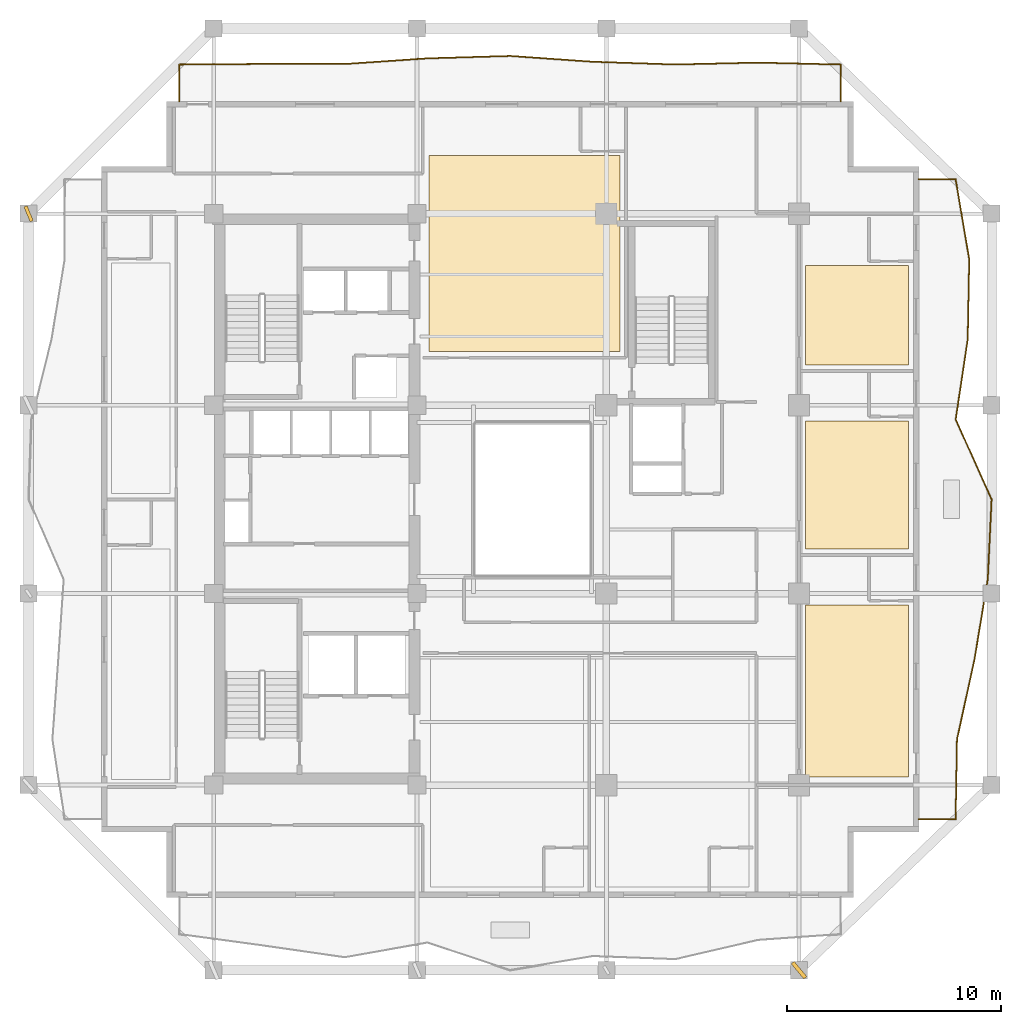
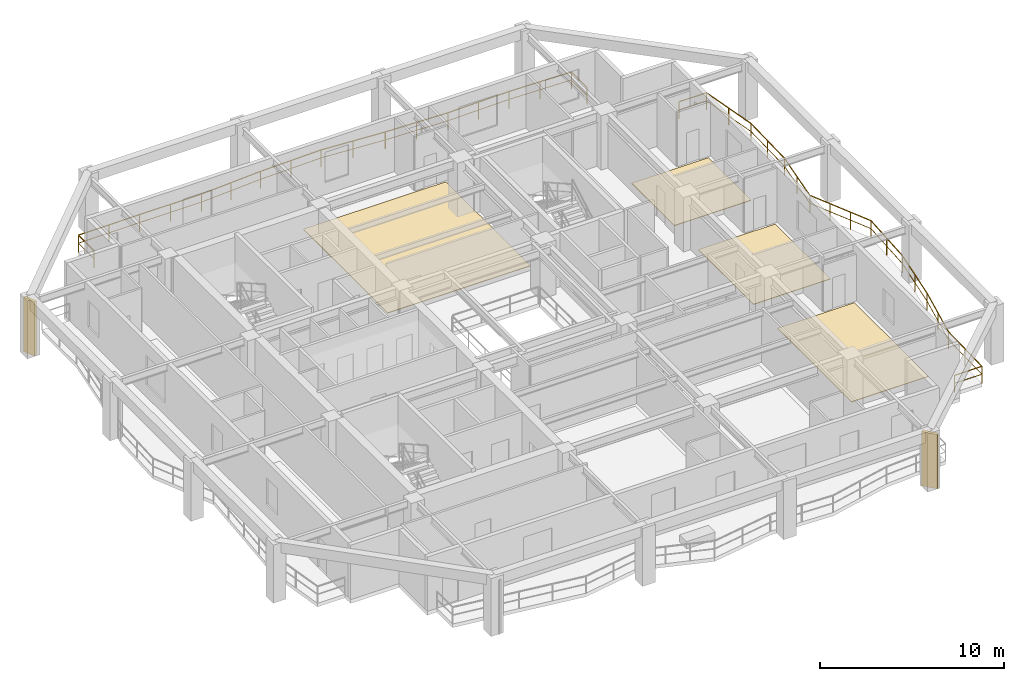
# One storey, part 9 of 10: 4 coverings, 2 railings, 2 shading devices.
"""IFC4 building model written with IfcOpenShell, lengths in metres."""

from ifc_helpers import new_model, si_unit, direction, frame, origin, origin_2d, place, context, subcontext, project, spatial, polyline, rectangle, outline, extrude, material, layer, layer_set, type_object, element, save


model = new_model("IFC4")

# Units and contexts
model_context = context("Model", 3, precision=1e-05, world=origin(), true_north=direction((0.0, 1.0)))
body_context = subcontext(model_context, "Body", "Model", "MODEL_VIEW")
ifc_project = project(units=[si_unit("LENGTHUNIT", "METRE"), si_unit("AREAUNIT", "SQUARE_METRE"), si_unit("VOLUMEUNIT", "CUBIC_METRE"), si_unit("PLANEANGLEUNIT", "RADIAN"), si_unit("MASSUNIT", "GRAM", prefix="KILO")], contexts=[model_context])

# Site, building, storey
site_placement = place(None, origin())
site = spatial("IfcSite", under=ifc_project, at=site_placement, CompositionType="ELEMENT")
building_placement = place(site_placement, origin())
building = spatial("IfcBuilding", under=site, at=building_placement, Name="Kundavana Baori Tower", CompositionType="ELEMENT")
storey_placement = place(building_placement, frame((0.0, 0.0, 115.550048828125)))
storey = spatial("IfcBuildingStorey", under=building, at=storey_placement, Name="L27", CompositionType="ELEMENT", Elevation=115.550048828125)

# Coverings
ifc_material_1 = material(Name="Honed Kota Stone and Terrazzo Flooring", Category="masonry")
ifc_layer = layer(ifc_material_1, 0.0400390625, Name="COV-FLR-TERR-40")
ifc_layer_set = layer_set([ifc_layer], Name="Honed Kota Stone and Terrazzo Flooring")
covering_type = type_object("IfcCoveringType", Name="COV-FLR-TERR-40", PredefinedType="FLOORING", material=ifc_layer_set)
covering_1_placement = place(storey_placement, origin())
element("IfcCovering", 1, at=covering_1_placement, inside=storey, type_object=covering_type, Name="L27 Room Finished Stone Flooring 5", PredefinedType="FLOORING", context=body_context, shape_type="SweptSolid", body=[
    extrude(outline(polyline([(43.10009765625, 15.6298828125), (47.919921875, 15.6298828125), (47.919921875, 23.669921875), (43.10009765625, 23.669921875), (43.10009765625, 15.6298828125)])), origin(), (0.0, 0.0, 1.0), 0.0400390625),
])
covering_2_placement = place(storey_placement, origin())
element("IfcCovering", 2, at=covering_2_placement, inside=storey, type_object=covering_type, Name="L27 Room Finished Stone Flooring 6", PredefinedType="FLOORING", context=body_context, shape_type="SweptSolid", body=[
    extrude(outline(polyline([(43.10009765625, 26.280029296875), (47.919921875, 26.280029296875), (47.919921875, 32.27001953125), (43.10009765625, 32.27001953125), (43.10009765625, 26.280029296875)])), origin(), (0.0, 0.0, 1.0), 0.0400390625),
])
covering_3_placement = place(storey_placement, origin())
element("IfcCovering", 3, at=covering_3_placement, inside=storey, type_object=covering_type, Name="L27 Room Finished Stone Flooring 7", PredefinedType="FLOORING", context=body_context, shape_type="SweptSolid", body=[
    extrude(outline(polyline([(43.10009765625, 34.8798828125), (47.919921875, 34.8798828125), (47.919921875, 39.52001953125), (43.10009765625, 39.52001953125), (43.10009765625, 34.8798828125)])), origin(), (0.0, 0.0, 1.0), 0.0400390625),
])
covering_4_placement = place(storey_placement, origin())
element("IfcCovering", 4, at=covering_4_placement, inside=storey, type_object=covering_type, Name="L27 Room Finished Stone Flooring 8", PredefinedType="FLOORING", context=body_context, shape_type="SweptSolid", body=[
    extrude(outline(polyline([(25.5, 35.5), (34.43994140625, 35.5), (34.43994140625, 44.669921875), (25.5, 44.669921875), (25.5, 35.5)])), origin(), (0.0, 0.0, 1.0), 0.0400390625),
])

# Railings
ifc_material_2 = material(Name="Architectural Patinated Bronze Metalwork")
railing_type = type_object("IfcRailingType", Name="RL-BAL-1150", PredefinedType="BALUSTRADE", material=ifc_material_2)
railing_1_placement = place(storey_placement, frame((48.39990234375, 43.550048828125, 0.0)))
element("IfcRailing", 5, at=railing_1_placement, inside=storey, type_object=railing_type, Name="L27 Loggia Balcony Balustrade E", PredefinedType="BALUSTRADE", context=body_context, shape_type="SweptSolid", body=[
    extrude(rectangle(XDim=0.048095703125, YDim=0.048095703125, at=origin_2d()), frame((0.0, 0.0, 1.1259765625), z_axis=(1.0, 0.0, 0.0), x_axis=(0.0, 1.0, 0.0)), (0.0, 0.0, 1.0), 1.72021484375),
    extrude(rectangle(XDim=0.03125, YDim=0.03125, at=origin_2d()), frame((0.0, 0.0, 0.597900390625), z_axis=(1.0, 0.0, 0.0), x_axis=(0.0, 1.0, 0.0)), (0.0, 0.0, 1.0), 1.72021484375),
    extrude(rectangle(XDim=0.048095703125, YDim=0.048095703125, at=origin_2d()), frame((1.72021484375, 0.0, 1.1259765625), z_axis=(0.167979072245, -0.985790561574, 0.0), x_axis=(0.985790561574, 0.167979072245, 0.0)), (0.0, 0.0, 1.0), 3.7919921875),
    extrude(rectangle(XDim=0.03125, YDim=0.03125, at=origin_2d()), frame((1.72021484375, 0.0, 0.597900390625), z_axis=(0.167979072245, -0.985790561574, 0.0), x_axis=(0.985790561574, 0.167979072245, 0.0)), (0.0, 0.0, 1.0), 3.7919921875),
    extrude(rectangle(XDim=0.048095703125, YDim=0.048095703125, at=origin_2d()), frame((2.357177734375, -3.738037109375, 1.1259765625), z_axis=(-0.019007475561, -0.999819341618, 0.0), x_axis=(0.999819341618, -0.019007475561, 0.0)), (0.0, 0.0, 1.0), 3.73779296875),
    extrude(rectangle(XDim=0.03125, YDim=0.03125, at=origin_2d()), frame((2.357177734375, -3.738037109375, 0.597900390625), z_axis=(-0.019007475561, -0.999819341618, 0.0), x_axis=(0.999819341618, -0.019007475561, 0.0)), (0.0, 0.0, 1.0), 3.73779296875),
    extrude(rectangle(XDim=0.048095703125, YDim=0.048095703125, at=origin_2d()), frame((2.2861328125, -7.47509765625, 1.1259765625), z_axis=(-0.148931000172, -0.988847590475, 0.0), x_axis=(0.988847590475, -0.148931000172, 0.0)), (0.0, 0.0, 1.0), 3.7802734375),
    extrude(rectangle(XDim=0.03125, YDim=0.03125, at=origin_2d()), frame((2.2861328125, -7.47509765625, 0.597900390625), z_axis=(-0.148931000172, -0.988847590475, 0.0), x_axis=(0.988847590475, -0.148931000172, 0.0)), (0.0, 0.0, 1.0), 3.7802734375),
    extrude(rectangle(XDim=0.048095703125, YDim=0.048095703125, at=origin_2d()), frame((1.72314453125, -11.213134765625, 1.1259765625), z_axis=(0.409437527409, -0.91233815614, 0.0), x_axis=(0.91233815614, 0.409437527409, 0.0)), (0.0, 0.0, 1.0), 4.095947265625),
    extrude(rectangle(XDim=0.03125, YDim=0.03125, at=origin_2d()), frame((1.72314453125, -11.213134765625, 0.597900390625), z_axis=(0.409437527409, -0.91233815614, 0.0), x_axis=(0.91233815614, 0.409437527409, 0.0)), (0.0, 0.0, 1.0), 4.095947265625),
    extrude(rectangle(XDim=0.048095703125, YDim=0.048095703125, at=origin_2d()), frame((3.400146484375, -14.949951171875, 1.1259765625), z_axis=(-0.04807965925, -0.998843504442, 0.0), x_axis=(0.998843504442, -0.04807965925, 0.0)), (0.0, 0.0, 1.0), 3.742431640625),
    extrude(rectangle(XDim=0.03125, YDim=0.03125, at=origin_2d()), frame((3.400146484375, -14.949951171875, 0.597900390625), z_axis=(-0.04807965925, -0.998843504442, 0.0), x_axis=(0.998843504442, -0.04807965925, 0.0)), (0.0, 0.0, 1.0), 3.742431640625),
    extrude(rectangle(XDim=0.048095703125, YDim=0.048095703125, at=origin_2d()), frame((3.22021484375, -18.68798828125, 1.1259765625), z_axis=(-0.162945925571, -0.986635001072, 0.0), x_axis=(0.986635001072, -0.162945925571, 0.0)), (0.0, 0.0, 1.0), 3.78759765625),
    extrude(rectangle(XDim=0.03125, YDim=0.03125, at=origin_2d()), frame((3.22021484375, -18.68798828125, 0.597900390625), z_axis=(-0.162945925571, -0.986635001072, 0.0), x_axis=(0.986635001072, -0.162945925571, 0.0)), (0.0, 0.0, 1.0), 3.78759765625),
    extrude(rectangle(XDim=0.048095703125, YDim=0.048095703125, at=origin_2d()), frame((2.60302734375, -22.425048828125, 1.1259765625), z_axis=(-0.213740642932, -0.976890442966, 0.0), x_axis=(0.976890442966, -0.213740642932, 0.0)), (0.0, 0.0, 1.0), 3.826416015625),
    extrude(rectangle(XDim=0.03125, YDim=0.03125, at=origin_2d()), frame((2.60302734375, -22.425048828125, 0.597900390625), z_axis=(-0.213740642932, -0.976890442966, 0.0), x_axis=(0.976890442966, -0.213740642932, 0.0)), (0.0, 0.0, 1.0), 3.826416015625),
    extrude(rectangle(XDim=0.048095703125, YDim=0.048095703125, at=origin_2d()), frame((1.78515625, -26.1630859375, 1.1259765625), z_axis=(-0.017375047057, -0.999849042476, 0.0), x_axis=(0.999849042476, -0.017375047057, 0.0)), (0.0, 0.0, 1.0), 3.737548828125),
    extrude(rectangle(XDim=0.03125, YDim=0.03125, at=origin_2d()), frame((1.78515625, -26.1630859375, 0.597900390625), z_axis=(-0.017375047057, -0.999849042476, 0.0), x_axis=(0.999849042476, -0.017375047057, 0.0)), (0.0, 0.0, 1.0), 3.737548828125),
    extrude(rectangle(XDim=0.048095703125, YDim=0.048095703125, at=origin_2d()), frame((1.72021484375, -29.900146484375, 1.1259765625), z_axis=(-1.0, 0.0, 0.0), x_axis=(0.0, -1.0, 0.0)), (0.0, 0.0, 1.0), 1.72021484375),
    extrude(rectangle(XDim=0.03125, YDim=0.03125, at=origin_2d()), frame((1.72021484375, -29.900146484375, 0.597900390625), z_axis=(-1.0, 0.0, 0.0), x_axis=(0.0, -1.0, 0.0)), (0.0, 0.0, 1.0), 1.72021484375),
    extrude(rectangle(XDim=0.0419921875, YDim=0.0419921875, at=origin_2d()), origin(), (0.0, 0.0, 1.0), 1.101806640625),
    extrude(rectangle(XDim=0.0419921875, YDim=0.0419921875, at=origin_2d()), frame((1.72021484375, 0.0, 0.0)), (0.0, 0.0, 1.0), 1.101806640625),
    extrude(rectangle(XDim=0.0419921875, YDim=0.0419921875, at=origin_2d()), frame((2.03857421875, -1.869140625, 0.0)), (0.0, 0.0, 1.0), 1.101806640625),
    extrude(rectangle(XDim=0.0419921875, YDim=0.0419921875, at=origin_2d()), frame((2.357177734375, -3.738037109375, 0.0)), (0.0, 0.0, 1.0), 1.101806640625),
    extrude(rectangle(XDim=0.0419921875, YDim=0.0419921875, at=origin_2d()), frame((2.32177734375, -5.6064453125, 0.0)), (0.0, 0.0, 1.0), 1.101806640625),
    extrude(rectangle(XDim=0.0419921875, YDim=0.0419921875, at=origin_2d()), frame((2.2861328125, -7.47509765625, 0.0)), (0.0, 0.0, 1.0), 1.101806640625),
    extrude(rectangle(XDim=0.0419921875, YDim=0.0419921875, at=origin_2d()), frame((2.004638671875, -9.34423828125, 0.0)), (0.0, 0.0, 1.0), 1.101806640625),
    extrude(rectangle(XDim=0.0419921875, YDim=0.0419921875, at=origin_2d()), frame((1.72314453125, -11.213134765625, 0.0)), (0.0, 0.0, 1.0), 1.101806640625),
    extrude(rectangle(XDim=0.0419921875, YDim=0.0419921875, at=origin_2d()), frame((2.2822265625, -12.458740234375, 0.0)), (0.0, 0.0, 1.0), 1.101806640625),
    extrude(rectangle(XDim=0.0419921875, YDim=0.0419921875, at=origin_2d()), frame((2.841064453125, -13.704345703125, 0.0)), (0.0, 0.0, 1.0), 1.101806640625),
    extrude(rectangle(XDim=0.0419921875, YDim=0.0419921875, at=origin_2d()), frame((3.400146484375, -14.949951171875, 0.0)), (0.0, 0.0, 1.0), 1.101806640625),
    extrude(rectangle(XDim=0.0419921875, YDim=0.0419921875, at=origin_2d()), frame((3.31005859375, -16.81884765625, 0.0)), (0.0, 0.0, 1.0), 1.101806640625),
    extrude(rectangle(XDim=0.0419921875, YDim=0.0419921875, at=origin_2d()), frame((3.22021484375, -18.68798828125, 0.0)), (0.0, 0.0, 1.0), 1.101806640625),
    extrude(rectangle(XDim=0.0419921875, YDim=0.0419921875, at=origin_2d()), frame((2.91162109375, -20.556640625, 0.0)), (0.0, 0.0, 1.0), 1.101806640625),
    extrude(rectangle(XDim=0.0419921875, YDim=0.0419921875, at=origin_2d()), frame((2.60302734375, -22.425048828125, 0.0)), (0.0, 0.0, 1.0), 1.101806640625),
    extrude(rectangle(XDim=0.0419921875, YDim=0.0419921875, at=origin_2d()), frame((2.194091796875, -24.2939453125, 0.0)), (0.0, 0.0, 1.0), 1.101806640625),
    extrude(rectangle(XDim=0.0419921875, YDim=0.0419921875, at=origin_2d()), frame((1.78515625, -26.1630859375, 0.0)), (0.0, 0.0, 1.0), 1.101806640625),
    extrude(rectangle(XDim=0.0419921875, YDim=0.0419921875, at=origin_2d()), frame((1.752685546875, -28.03173828125, 0.0)), (0.0, 0.0, 1.0), 1.101806640625),
    extrude(rectangle(XDim=0.0419921875, YDim=0.0419921875, at=origin_2d()), frame((1.72021484375, -29.900146484375, 0.0)), (0.0, 0.0, 1.0), 1.101806640625),
    extrude(rectangle(XDim=0.0419921875, YDim=0.0419921875, at=origin_2d()), frame((0.0, -29.900146484375, 0.0)), (0.0, 0.0, 1.0), 1.101806640625),
])
railing_2_placement = place(storey_placement, frame((13.85009765625, 47.199951171875, 0.0)))
element("IfcRailing", 6, at=railing_2_placement, inside=storey, type_object=railing_type, Name="L27 Loggia Balcony Balustrade N", PredefinedType="BALUSTRADE", context=body_context, shape_type="SweptSolid", body=[
    extrude(rectangle(XDim=0.048095703125, YDim=0.048095703125, at=origin_2d()), frame((0.0, 0.0, 1.1259765625), z_axis=(0.0, 1.0, 0.0), x_axis=(-1.0, 0.0, 0.0)), (0.0, 0.0, 1.0), 1.719970703125),
    extrude(rectangle(XDim=0.03125, YDim=0.03125, at=origin_2d()), frame((0.0, 0.0, 0.597900390625), z_axis=(0.0, 1.0, 0.0), x_axis=(-1.0, 0.0, 0.0)), (0.0, 0.0, 1.0), 1.719970703125),
    extrude(rectangle(XDim=0.048095703125, YDim=0.048095703125, at=origin_2d()), frame((0.0, 1.719970703125, 1.1259765625), z_axis=(0.999971702873, 0.007522862096, 0.0), x_axis=(-0.007522862096, 0.999971702873, 0.0)), (0.0, 0.0, 1.0), 3.86181640625),
    extrude(rectangle(XDim=0.03125, YDim=0.03125, at=origin_2d()), frame((0.0, 1.719970703125, 0.597900390625), z_axis=(0.999971702873, 0.007522862096, 0.0), x_axis=(-0.007522862096, 0.999971702873, 0.0)), (0.0, 0.0, 1.0), 3.86181640625),
    extrude(rectangle(XDim=0.048095703125, YDim=0.048095703125, at=origin_2d()), frame((3.86181640625, 1.7490234375, 1.1259765625), z_axis=(0.999999712423, -0.000758389468, 0.0), x_axis=(0.000758389468, 0.999999712423, 0.0)), (0.0, 0.0, 1.0), 3.863037109375),
    extrude(rectangle(XDim=0.03125, YDim=0.03125, at=origin_2d()), frame((3.86181640625, 1.7490234375, 0.597900390625), z_axis=(0.999999712423, -0.000758389468, 0.0), x_axis=(0.000758389468, 0.999999712423, 0.0)), (0.0, 0.0, 1.0), 3.863037109375),
    extrude(rectangle(XDim=0.048095703125, YDim=0.048095703125, at=origin_2d()), frame((7.724853515625, 1.74609375, 1.1259765625), z_axis=(0.997691563595, 0.067908349491, 0.0), x_axis=(-0.067908349491, 0.997691563595, 0.0)), (0.0, 0.0, 1.0), 3.8720703125),
    extrude(rectangle(XDim=0.03125, YDim=0.03125, at=origin_2d()), frame((7.724853515625, 1.74609375, 0.597900390625), z_axis=(0.997691563595, 0.067908349491, 0.0), x_axis=(-0.067908349491, 0.997691563595, 0.0)), (0.0, 0.0, 1.0), 3.8720703125),
    extrude(rectangle(XDim=0.048095703125, YDim=0.048095703125, at=origin_2d()), frame((11.587890625, 2.009033203125, 1.1259765625), z_axis=(0.999571949494, 0.02925607261, 0.0), x_axis=(-0.02925607261, 0.999571949494, 0.0)), (0.0, 0.0, 1.0), 3.86376953125),
    extrude(rectangle(XDim=0.03125, YDim=0.03125, at=origin_2d()), frame((11.587890625, 2.009033203125, 0.597900390625), z_axis=(0.999571949494, 0.02925607261, 0.0), x_axis=(-0.02925607261, 0.999571949494, 0.0)), (0.0, 0.0, 1.0), 3.86376953125),
    extrude(rectangle(XDim=0.048095703125, YDim=0.048095703125, at=origin_2d()), frame((15.449951171875, 2.1220703125, 1.1259765625), z_axis=(0.997548460007, -0.069979067851, 0.0), x_axis=(0.069979067851, 0.997548460007, 0.0)), (0.0, 0.0, 1.0), 3.87255859375),
    extrude(rectangle(XDim=0.03125, YDim=0.03125, at=origin_2d()), frame((15.449951171875, 2.1220703125, 0.597900390625), z_axis=(0.997548460007, -0.069979067851, 0.0), x_axis=(0.069979067851, 0.997548460007, 0.0)), (0.0, 0.0, 1.0), 3.87255859375),
    extrude(rectangle(XDim=0.048095703125, YDim=0.048095703125, at=origin_2d()), frame((19.31298828125, 1.85107421875, 1.1259765625), z_axis=(0.999460089569, -0.032856192096, 0.0), x_axis=(0.032856192096, 0.999460089569, 0.0)), (0.0, 0.0, 1.0), 3.864013671875),
    extrude(rectangle(XDim=0.03125, YDim=0.03125, at=origin_2d()), frame((19.31298828125, 1.85107421875, 0.597900390625), z_axis=(0.999460089569, -0.032856192096, 0.0), x_axis=(0.032856192096, 0.999460089569, 0.0)), (0.0, 0.0, 1.0), 3.864013671875),
    extrude(rectangle(XDim=0.048095703125, YDim=0.048095703125, at=origin_2d()), frame((23.1748046875, 1.72412109375, 1.1259765625), z_axis=(0.999741149921, 0.022751552814, 0.0), x_axis=(-0.022751552814, 0.999741149921, 0.0)), (0.0, 0.0, 1.0), 3.863037109375),
    extrude(rectangle(XDim=0.03125, YDim=0.03125, at=origin_2d()), frame((23.1748046875, 1.72412109375, 0.597900390625), z_axis=(0.999741149921, 0.022751552814, 0.0), x_axis=(-0.022751552814, 0.999741149921, 0.0)), (0.0, 0.0, 1.0), 3.863037109375),
    extrude(rectangle(XDim=0.048095703125, YDim=0.048095703125, at=origin_2d()), frame((27.036865234375, 1.81201171875, 1.1259765625), z_axis=(0.999716279843, -0.023819316027, 0.0), x_axis=(0.023819316027, 0.999716279843, 0.0)), (0.0, 0.0, 1.0), 3.864013671875),
    extrude(rectangle(XDim=0.03125, YDim=0.03125, at=origin_2d()), frame((27.036865234375, 1.81201171875, 0.597900390625), z_axis=(0.999716279843, -0.023819316027, 0.0), x_axis=(0.023819316027, 0.999716279843, 0.0)), (0.0, 0.0, 1.0), 3.864013671875),
    extrude(rectangle(XDim=0.048095703125, YDim=0.048095703125, at=origin_2d()), frame((30.89990234375, 1.719970703125, 1.1259765625), z_axis=(0.0, -1.0, 0.0), x_axis=(1.0, 0.0, 0.0)), (0.0, 0.0, 1.0), 1.719970703125),
    extrude(rectangle(XDim=0.03125, YDim=0.03125, at=origin_2d()), frame((30.89990234375, 1.719970703125, 0.597900390625), z_axis=(0.0, -1.0, 0.0), x_axis=(1.0, 0.0, 0.0)), (0.0, 0.0, 1.0), 1.719970703125),
    extrude(rectangle(XDim=0.0419921875, YDim=0.0419921875, at=origin_2d()), origin(), (0.0, 0.0, 1.0), 1.101806640625),
    extrude(rectangle(XDim=0.0419921875, YDim=0.0419921875, at=origin_2d()), frame((0.0, 1.719970703125, 0.0)), (0.0, 0.0, 1.0), 1.101806640625),
    extrude(rectangle(XDim=0.0419921875, YDim=0.0419921875, at=origin_2d()), frame((1.930908203125, 1.734375, 0.0)), (0.0, 0.0, 1.0), 1.101806640625),
    extrude(rectangle(XDim=0.0419921875, YDim=0.0419921875, at=origin_2d()), frame((3.86181640625, 1.7490234375, 0.0)), (0.0, 0.0, 1.0), 1.101806640625),
    extrude(rectangle(XDim=0.0419921875, YDim=0.0419921875, at=origin_2d()), frame((5.79345703125, 1.74755859375, 0.0)), (0.0, 0.0, 1.0), 1.101806640625),
    extrude(rectangle(XDim=0.0419921875, YDim=0.0419921875, at=origin_2d()), frame((7.724853515625, 1.74609375, 0.0)), (0.0, 0.0, 1.0), 1.101806640625),
    extrude(rectangle(XDim=0.0419921875, YDim=0.0419921875, at=origin_2d()), frame((9.65625, 1.87744140625, 0.0)), (0.0, 0.0, 1.0), 1.101806640625),
    extrude(rectangle(XDim=0.0419921875, YDim=0.0419921875, at=origin_2d()), frame((11.587890625, 2.009033203125, 0.0)), (0.0, 0.0, 1.0), 1.101806640625),
    extrude(rectangle(XDim=0.0419921875, YDim=0.0419921875, at=origin_2d()), frame((13.51904296875, 2.0654296875, 0.0)), (0.0, 0.0, 1.0), 1.101806640625),
    extrude(rectangle(XDim=0.0419921875, YDim=0.0419921875, at=origin_2d()), frame((15.449951171875, 2.1220703125, 0.0)), (0.0, 0.0, 1.0), 1.101806640625),
    extrude(rectangle(XDim=0.0419921875, YDim=0.0419921875, at=origin_2d()), frame((17.38134765625, 1.986572265625, 0.0)), (0.0, 0.0, 1.0), 1.101806640625),
    extrude(rectangle(XDim=0.0419921875, YDim=0.0419921875, at=origin_2d()), frame((19.31298828125, 1.85107421875, 0.0)), (0.0, 0.0, 1.0), 1.101806640625),
    extrude(rectangle(XDim=0.0419921875, YDim=0.0419921875, at=origin_2d()), frame((21.243896484375, 1.78759765625, 0.0)), (0.0, 0.0, 1.0), 1.101806640625),
    extrude(rectangle(XDim=0.0419921875, YDim=0.0419921875, at=origin_2d()), frame((23.1748046875, 1.72412109375, 0.0)), (0.0, 0.0, 1.0), 1.101806640625),
    extrude(rectangle(XDim=0.0419921875, YDim=0.0419921875, at=origin_2d()), frame((25.10595703125, 1.76806640625, 0.0)), (0.0, 0.0, 1.0), 1.101806640625),
    extrude(rectangle(XDim=0.0419921875, YDim=0.0419921875, at=origin_2d()), frame((27.036865234375, 1.81201171875, 0.0)), (0.0, 0.0, 1.0), 1.101806640625),
    extrude(rectangle(XDim=0.0419921875, YDim=0.0419921875, at=origin_2d()), frame((28.96826171875, 1.76611328125, 0.0)), (0.0, 0.0, 1.0), 1.101806640625),
    extrude(rectangle(XDim=0.0419921875, YDim=0.0419921875, at=origin_2d()), frame((30.89990234375, 1.719970703125, 0.0)), (0.0, 0.0, 1.0), 1.101806640625),
    extrude(rectangle(XDim=0.0419921875, YDim=0.0419921875, at=origin_2d()), frame((30.89990234375, 0.0, 0.0)), (0.0, 0.0, 1.0), 1.101806640625),
])

# Shading devices
ifc_material_3 = material(Name="Red-Buff Dholpur Sandstone Cladding on Concrete C40/50", Category="masonry")
shading_device_type_1 = type_object("IfcShadingDeviceType", Name="SHD-FIN-750", PredefinedType="JALOUSIE", material=ifc_material_3)
shading_device_1_placement = place(storey_placement, frame((6.800048828125, 41.949951171875, 0.0), z_axis=(0.0, 0.0, 1.0), x_axis=(0.926199960512, 0.377032668542, 0.0)))
element("IfcShadingDevice", 7, at=shading_device_1_placement, inside=storey, type_object=shading_device_type_1, Name="L27 Sweeping Dholpur Sandstone Facade Fin 8", PredefinedType="JALOUSIE", context=body_context, shape_type="SweptSolid", body=[
    extrude(rectangle(XDim=0.159912109375, YDim=0.75, at=origin_2d()), origin(), (0.0, 0.0, 1.0), 3.60009765625),
])
ifc_material_4 = material(Name="Red-Buff Dholpur Sandstone Cladding on Concrete C40/50", Category="masonry")
shading_device_type_2 = type_object("IfcShadingDeviceType", Name="SHD-FIN-920", PredefinedType="JALOUSIE", material=ifc_material_4)
shading_device_2_placement = place(storey_placement, frame((42.800048828125, 6.60009765625, 0.0), z_axis=(0.0, 0.0, 1.0), x_axis=(0.769064991547, 0.639170586601, 0.0)))
element("IfcShadingDevice", 8, at=shading_device_2_placement, inside=storey, type_object=shading_device_type_2, Name="L27 Sweeping Dholpur Sandstone Facade Fin 4", PredefinedType="JALOUSIE", context=body_context, shape_type="SweptSolid", body=[
    extrude(rectangle(XDim=0.179931640625, YDim=0.919921875, at=origin_2d()), origin(), (0.0, 0.0, 1.0), 3.60009765625),
])

save(model, "model.ifc")
